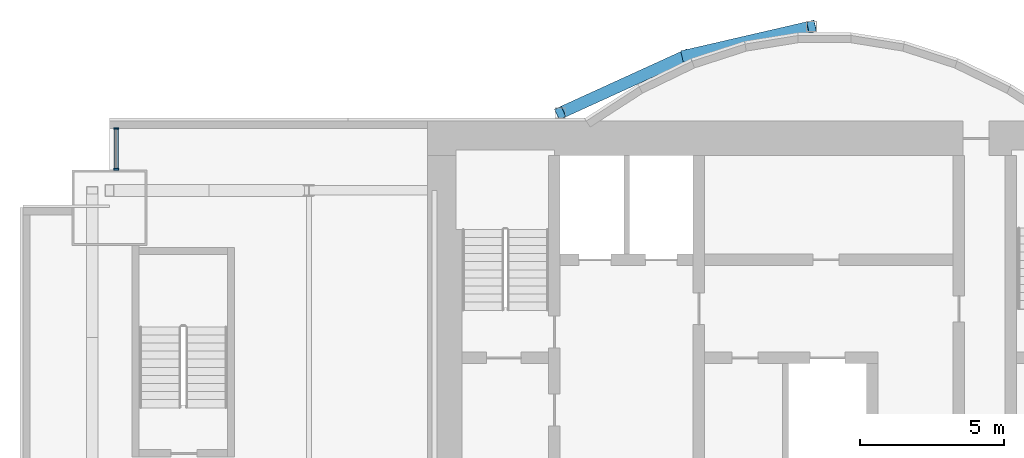
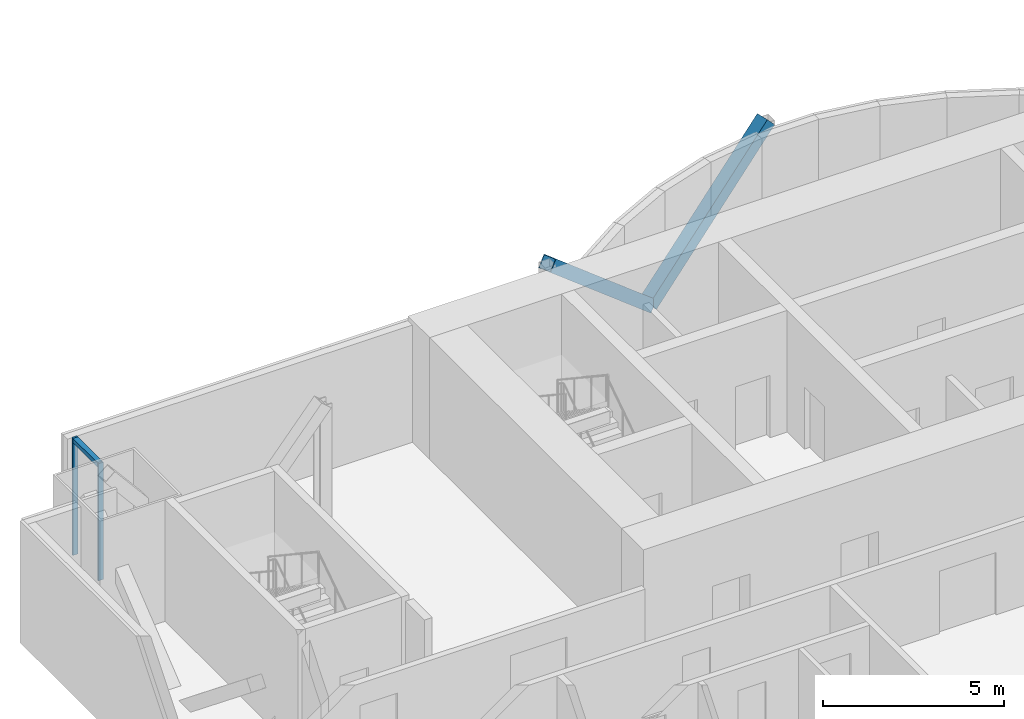
# One storey, part 10 of 20: 5 members, 1 element without a shape of its own.
"""IFC4 building model written with IfcOpenShell, lengths in metres."""

import ifcopenshell
import ifcopenshell.guid

model = None  # the IFC model being written
_history = None  # IfcOwnerHistory: only IFC2X3 demands one
_inside = {}  # id of a spatial element -> (the spatial element, [elements in it])
_under = {}  # id of a project, library or spatial element -> (it, [spatial elements below it])
_declared = {}  # id of a project -> (the project, [libraries it declares])
_typed = {}  # id of a type object -> (the type object, [elements of that type])
_made_of = {}  # id of a material, layer set ... -> (it, [elements and type objects made of it])


def new_model(schema):
    """Start an empty IFC model of exactly this schema.

    Asked for "IFC4X3", IfcOpenShell would pick the latest addendum, in which some entities
    have other attributes; the version numbers below select the first issue.
    IFC2X3 requires an IfcOwnerHistory on every rooted entity: one is made here for all.
    """
    global model, _history
    if schema == "IFC4X3":
        model = ifcopenshell.file(schema_version=(4, 3, 0, 0))
    else:
        model = ifcopenshell.file(schema=schema)
    _inside.clear()
    _under.clear()
    _declared.clear()
    _typed.clear()
    _made_of.clear()
    _history = None
    if model.schema == "IFC2X3":
        org = make("IfcOrganization", Name="unknown")
        user = make(
            "IfcPersonAndOrganization",
            ThePerson=make("IfcPerson", FamilyName="unknown"),
            TheOrganization=org,
        )
        app = make(
            "IfcApplication",
            ApplicationDeveloper=org,
            Version="unknown",
            ApplicationFullName="unknown",
            ApplicationIdentifier="unknown",
        )
        _history = make(
            "IfcOwnerHistory",
            OwningUser=user,
            OwningApplication=app,
            ChangeAction="ADDED",
            CreationDate=0,
        )
    return model


def make(cls, **values):
    """One entity of the class cls with the attributes given. An attribute that is None is left unset."""
    return model.create_entity(
        cls, **{name: value for name, value in values.items() if value is not None}
    )


def rooted(cls, **values):
    """An entity with a GlobalId (a new one), such as an element, a storey or a relation."""
    return make(cls, GlobalId=ifcopenshell.guid.new(), OwnerHistory=_history, **values)


def si_unit(unit_type, name, prefix=None):
    """IfcSIUnit, for example si_unit("LENGTHUNIT", "METRE", prefix="MILLI")."""
    return make("IfcSIUnit", UnitType=unit_type, Prefix=prefix, Name=name)


def assignment(units):
    """IfcUnitAssignment: the units of a project."""
    return None if units is None else make("IfcUnitAssignment", Units=units)


def point(xyz):
    """IfcCartesianPoint."""
    return None if xyz is None else make("IfcCartesianPoint", Coordinates=xyz)


def direction(xyz):
    """IfcDirection."""
    return None if xyz is None else make("IfcDirection", DirectionRatios=xyz)


def frame(location, z_axis=None, x_axis=None):
    """IfcAxis2Placement3D, a coordinate frame: its origin and axes. An axis left out is left unset."""
    return make(
        "IfcAxis2Placement3D",
        Location=point(location),
        Axis=direction(z_axis),
        RefDirection=direction(x_axis),
    )


def frame_2d(location, x_axis=None):
    """IfcAxis2Placement2D, a coordinate frame in the plane: its origin and x axis."""
    return make(
        "IfcAxis2Placement2D", Location=point(location), RefDirection=direction(x_axis)
    )


def origin():
    """The frame at (0, 0, 0) with its axes left unset."""
    return frame((0.0, 0.0, 0.0))


def origin_2d():
    """The frame at (0, 0) in the plane with its x axis left unset."""
    return frame_2d((0.0, 0.0))


def place(relative_to, where):
    """IfcLocalPlacement: puts the frame where relative to a parent placement (None: the world)."""
    return make(
        "IfcLocalPlacement", PlacementRelTo=relative_to, RelativePlacement=where
    )


def context(
    kind, dimensions, precision=None, world=None, true_north=None, identifier=None
):
    """IfcGeometricRepresentationContext, for example the 3D "Model" context."""
    return make(
        "IfcGeometricRepresentationContext",
        ContextIdentifier=identifier,
        ContextType=kind,
        CoordinateSpaceDimension=dimensions,
        Precision=precision,
        WorldCoordinateSystem=world,
        TrueNorth=true_north,
    )


def subcontext(parent, identifier, kind, view, scale=None):
    """IfcGeometricRepresentationSubContext, for example "Body" below "Model"."""
    return make(
        "IfcGeometricRepresentationSubContext",
        ContextIdentifier=identifier,
        ContextType=kind,
        ParentContext=parent,
        TargetScale=scale,
        TargetView=view,
    )


def project(units=None, contexts=None):
    """IfcProject with its units and contexts."""
    return rooted(
        "IfcProject",
        Name="project",
        RepresentationContexts=contexts,
        UnitsInContext=assignment(units),
    )


def spatial(cls, under=None, at=None, **own):
    """A site, building, storey or space (cls), placed at a placement, below another one or the project."""
    s = rooted(cls, ObjectPlacement=at, **own)
    if under is not None:
        _under.setdefault(under.id(), (under, []))[1].append(s)
    return s


def profile(cls, at=None, kind="AREA", **sizes):
    """A parametric profile (cls). Its sizes go by their IFC names, for example OverallWidth=200.0."""
    return make(cls, ProfileType=kind, Position=at, **sizes)


def rectangle(**sizes):
    """IfcRectangleProfileDef."""
    return profile("IfcRectangleProfileDef", **sizes)


def hollow_rectangle(**sizes):
    """IfcRectangleHollowProfileDef."""
    return profile("IfcRectangleHollowProfileDef", **sizes)


def extrude(swept, where, along, depth):
    """IfcExtrudedAreaSolid: the profile swept, set in the frame where, extruded along a direction by depth."""
    return make(
        "IfcExtrudedAreaSolid",
        SweptArea=swept,
        Position=where,
        ExtrudedDirection=direction(along),
        Depth=depth,
    )


def shape(context_of_items, identifier, shape_type, items):
    """IfcShapeRepresentation: the items that make up one representation, for example the "Body"."""
    return make(
        "IfcShapeRepresentation",
        ContextOfItems=context_of_items,
        RepresentationIdentifier=identifier,
        RepresentationType=shape_type,
        Items=items,
    )


def material(Name=None, Category=None):
    """IfcMaterial."""
    return make("IfcMaterial", Name=Name, Category=Category)


def material_profile(
    of_material, cross_section, Name=None, Category=None, Priority=None
):
    """IfcMaterialProfile: a cross section and its material."""
    return make(
        "IfcMaterialProfile",
        Name=Name,
        Material=of_material,
        Profile=cross_section,
        Priority=Priority,
        Category=Category,
    )


def profile_set(profiles, Name=None, composite=None):
    """IfcMaterialProfileSet."""
    return make(
        "IfcMaterialProfileSet",
        Name=Name,
        MaterialProfiles=profiles,
        CompositeProfile=composite,
    )


def made_of(thing, what):
    """Note that an element or type object is made of a material, layer set ...; save() writes the relation."""
    if what is not None:
        _made_of.setdefault(what.id(), (what, []))[1].append(thing)
    return thing


def type_object(cls, material=None, **own):
    """A type object (cls), such as IfcWallType, which elements share."""
    return made_of(rooted(cls, **own), material)


def element(
    cls,
    number,
    at=None,
    inside=None,
    cuts=None,
    type_object=None,
    material=None,
    context=None,
    identifier="Body",
    shape_type=None,
    held_by="IfcProductDefinitionShape",
    body=None,
    shapes=None,
    **own,
):
    """One element of the class cls, such as IfcWall. Its Tag is "e" and its number.

    at: its placement. inside: the storey or other place that contains it. cuts: it is an
    opening in that element (IfcRelVoidsElement). A single representation is given by context,
    identifier, shape_type and body (its items); several are given by shapes. held_by: the class
    of the entity that holds the representations. save() writes the other relations.
    """
    e = rooted(cls, Tag="e%d" % number, ObjectPlacement=at, **own)
    if body is not None:
        shapes = [shape(context, identifier, shape_type, body)]
    if shapes is not None:
        e.Representation = make(held_by, Representations=shapes)
    if inside is not None:
        _inside.setdefault(inside.id(), (inside, []))[1].append(e)
    if cuts is not None:
        rooted(
            "IfcRelVoidsElement", RelatingBuildingElement=cuts, RelatedOpeningElement=e
        )
    if type_object is not None:
        _typed.setdefault(type_object.id(), (type_object, []))[1].append(e)
    return made_of(e, material)


def aggregate(whole, parts):
    """IfcRelAggregates: a whole, such as a stair, and the parts it consists of."""
    return rooted("IfcRelAggregates", RelatingObject=whole, RelatedObjects=parts)


def save(model, path):
    """Write the relations noted so far, then the file.

    IfcRelAggregates (storeys below a building ...), IfcRelContainedInSpatialStructure (elements
    in a storey), IfcRelDefinesByType, IfcRelAssociatesMaterial and IfcRelDeclares: one each for
    every whole, place, type object, material and project.
    """
    for whole, parts in _under.values():
        aggregate(whole, parts)
    for where, things in _inside.values():
        rooted(
            "IfcRelContainedInSpatialStructure",
            RelatedElements=things,
            RelatingStructure=where,
        )
    for kind, things in _typed.values():
        rooted("IfcRelDefinesByType", RelatedObjects=things, RelatingType=kind)
    for what, things in _made_of.values():
        rooted("IfcRelAssociatesMaterial", RelatedObjects=things, RelatingMaterial=what)
    for by, libraries in _declared.values():
        rooted("IfcRelDeclares", RelatingContext=by, RelatedDefinitions=libraries)
    model.write(path)


model = new_model("IFC4")

# Units and contexts
model_context = context("Model", 3, precision=1e-05, world=origin(), true_north=direction((0.0, 1.0)))
body_context = subcontext(model_context, "Body", "Model", "MODEL_VIEW")
ifc_project = project(units=[si_unit("LENGTHUNIT", "METRE"), si_unit("AREAUNIT", "SQUARE_METRE"), si_unit("VOLUMEUNIT", "CUBIC_METRE"), si_unit("PLANEANGLEUNIT", "RADIAN"), si_unit("MASSUNIT", "GRAM", prefix="KILO")], contexts=[model_context])

# Site, building, storey
site_placement = place(None, origin())
site = spatial("IfcSite", under=ifc_project, at=site_placement, CompositionType="ELEMENT")
building_placement = place(site_placement, origin())
building = spatial("IfcBuilding", under=site, at=building_placement, Name="Bicima Exchange Tower", CompositionType="ELEMENT")
storey_placement = place(building_placement, frame((0.0, 0.0, 223.699951171875)))
storey = spatial("IfcBuildingStorey", under=building, at=storey_placement, Name="L50", CompositionType="ELEMENT", Elevation=223.699951171875)

# Curtain wall, members
ifc_material_1 = material(Name="Anodised bronze aluminium", Category="aluminium")
curtain_wall_type = type_object("IfcCurtainWallType", Name="Front glass wall", PredefinedType="NOTDEFINED", material=ifc_material_1)
curtain_wall_placement = place(storey_placement, origin())
curtain_wall = element("IfcCurtainWall", 1, at=curtain_wall_placement, inside=storey, type_object=curtain_wall_type, Name="Front glass wall L50 run 1", PredefinedType="NOTDEFINED")
ifc_material_profile_1 = material_profile(ifc_material_1, rectangle(XDim=0.159912109375, YDim=0.06005859375, at=origin_2d()))
ifc_profile_set_1 = profile_set([ifc_material_profile_1], Name="Anodised bronze aluminium")
member_type_1 = type_object("IfcMemberType", Name="Front glass wall mullion 60 x 160", PredefinedType="MULLION", material=ifc_profile_set_1)
member_1_placement = place(storey_placement, frame((-32.77001953125, -0.260009765625, 0.0), z_axis=(0.0, 0.0, 1.0), x_axis=(1.0, 0.0, 0.0)))
member_1 = element("IfcMember", 2, at=member_1_placement, type_object=member_type_1, Name="Front glass wall mullion 1", PredefinedType="MULLION", context=body_context, shape_type="SweptSolid", body=[
    extrude(rectangle(XDim=0.159912109375, YDim=0.06005859375, at=origin_2d()), origin(), (0.0, 0.0, 1.0), 3.949951171875),
])
member_2_placement = place(storey_placement, frame((-32.77001953125, -1.669921875, 0.0), z_axis=(0.0, 0.0, 1.0), x_axis=(1.0, 0.0, 0.0)))
member_2 = element("IfcMember", 3, at=member_2_placement, type_object=member_type_1, Name="Front glass wall mullion 2", PredefinedType="MULLION", context=body_context, shape_type="SweptSolid", body=[
    extrude(rectangle(XDim=0.159912109375, YDim=0.06005859375, at=origin_2d()), origin(), (0.0, 0.0, 1.0), 3.949951171875),
])
ifc_material_profile_2 = material_profile(ifc_material_1, rectangle(XDim=0.159912109375, YDim=0.139892578125, at=origin_2d()))
ifc_profile_set_2 = profile_set([ifc_material_profile_2], Name="Anodised bronze aluminium")
member_type_2 = type_object("IfcMemberType", Name="Front glass wall transom 140 x 160", PredefinedType="USERDEFINED", material=ifc_profile_set_2)
member_3_placement = place(storey_placement, frame((-32.77001953125, -0.2900390625, 3.880126953125), z_axis=(0.0, -1.0, 0.0), x_axis=(1.0, 0.0, 0.0)))
member_3 = element("IfcMember", 4, at=member_3_placement, type_object=member_type_2, Name="Front glass wall transom 1.1", ObjectType="TRANSOM", PredefinedType="USERDEFINED", context=body_context, shape_type="SweptSolid", body=[
    extrude(rectangle(XDim=0.159912109375, YDim=0.139892578125, at=origin_2d()), origin(), (0.0, 0.0, 1.0), 1.349853515625),
])
aggregate(curtain_wall, [member_1, member_2, member_3])

# Members
ifc_material_2 = material(Name="Steel ASTM A572 Gr 50", Category="steel")
ifc_material_profile_3 = material_profile(ifc_material_2, hollow_rectangle(XDim=0.406494140625, YDim=0.406494140625, WallThickness=0.0146484375, at=origin_2d()))
ifc_profile_set_3 = profile_set([ifc_material_profile_3], Name="Steel ASTM A572 Gr 50")
member_type_3 = type_object("IfcMemberType", Name="Mega brace HSS16x16x5/8", PredefinedType="BRACE", material=ifc_profile_set_3)
member_4_placement = place(storey_placement, frame((-13.050048828125, 2.262451171875, 0.0), z_axis=(0.717605620354, 0.166050509188, 0.676364843878), x_axis=(-0.225438503722, 0.974257399787, 0.0)))
element("IfcMember", 5, at=member_4_placement, inside=storey, type_object=member_type_3, Name="Mega brace rexo", PredefinedType="BRACE", context=body_context, shape_type="SweptSolid", body=[
    extrude(hollow_rectangle(XDim=0.406494140625, YDim=0.406494140625, WallThickness=0.0146484375, at=origin_2d()), origin(), (0.0, 0.0, 1.0), 6.06201171875),
])
member_5_placement = place(storey_placement, frame((-13.050048828125, 2.262451171875, 0.0), z_axis=(-0.690628963585, -0.315060460011, 0.650975069565), x_axis=(0.415045223819, -0.909800781592, 0.0)))
element("IfcMember", 6, at=member_5_placement, inside=storey, type_object=member_type_3, Name="Mega brace rexo", PredefinedType="BRACE", context=body_context, shape_type="SweptSolid", body=[
    extrude(hollow_rectangle(XDim=0.406494140625, YDim=0.406494140625, WallThickness=0.0146484375, at=origin_2d()), origin(), (0.0, 0.0, 1.0), 6.29833984375),
])

save(model, "model.ifc")
